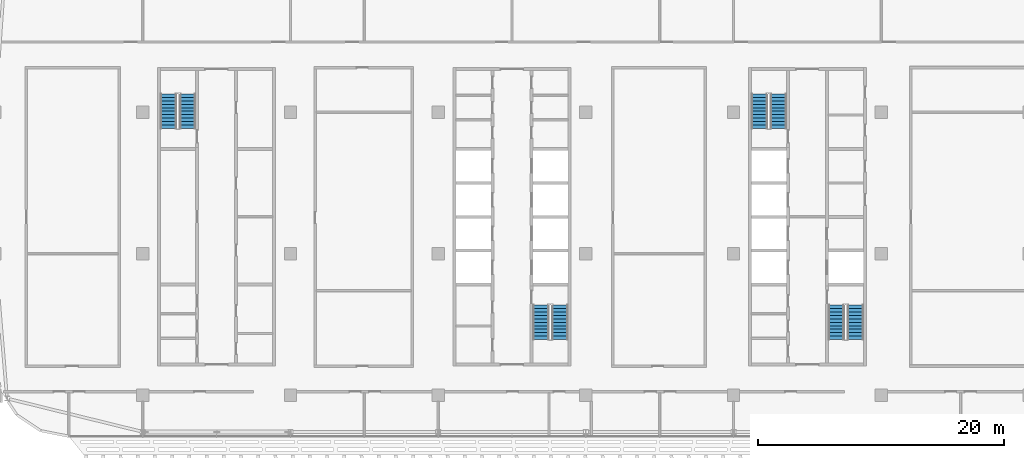
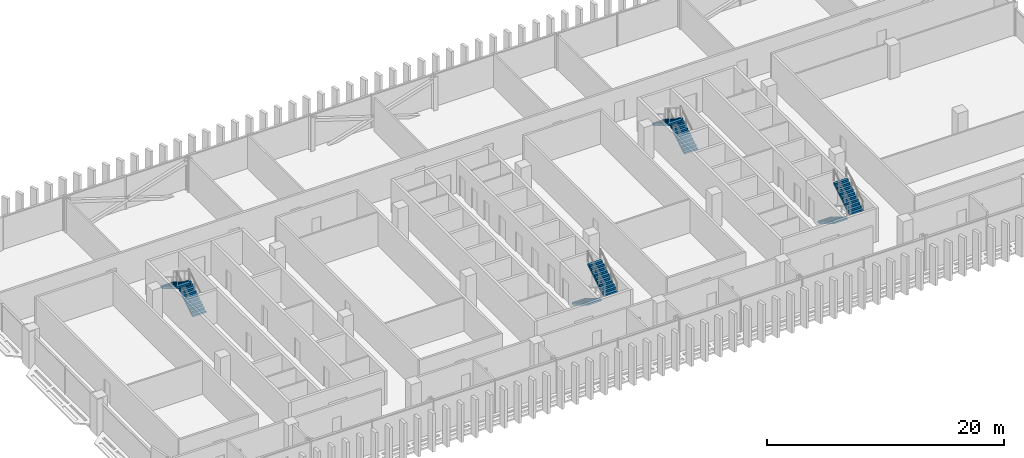
# One storey, part 23 of 35: 8 stair flights, 4 elements without a shape of their own.
"""IFC4 building model written with IfcOpenShell, lengths in metres."""

from ifc_helpers import new_model, si_unit, direction, frame, origin, place, context, subcontext, project, spatial, polyline, outline, extrude, material, type_object, element, aggregate, save


model = new_model("IFC4")

# Units and contexts
model_context = context("Model", 3, precision=1e-05, world=origin(), true_north=direction((0.0, 1.0)))
body_context = subcontext(model_context, "Body", "Model", "MODEL_VIEW")
ifc_project = project(units=[si_unit("LENGTHUNIT", "METRE"), si_unit("AREAUNIT", "SQUARE_METRE"), si_unit("VOLUMEUNIT", "CUBIC_METRE"), si_unit("PLANEANGLEUNIT", "RADIAN"), si_unit("MASSUNIT", "GRAM", prefix="KILO")], contexts=[model_context])

# Site, building, storey
site_placement = place(None, origin())
site = spatial("IfcSite", under=ifc_project, at=site_placement, CompositionType="ELEMENT")
building_placement = place(site_placement, origin())
building = spatial("IfcBuilding", under=site, at=building_placement, Name="Mahtab Terrace Research Tower", CompositionType="ELEMENT")
storey_placement = place(building_placement, frame((0.0, 0.0, 251.39990234375)))
storey = spatial("IfcBuildingStorey", under=building, at=storey_placement, Name="L61", CompositionType="ELEMENT", Elevation=251.39990234375)

# Stair, stair flights
ifc_material_1 = material(Name="Exit stair half-turn")
stair_type = type_object("IfcStairType", Name="Exit stair half-turn", PredefinedType="HALF_TURN_STAIR", material=ifc_material_1)
stair_1_placement = place(storey_placement, origin())
stair_1 = element("IfcStair", 1, at=stair_1_placement, inside=storey, type_object=stair_type, Name="L61 Protected exit stair ST1", PredefinedType="HALF_TURN_STAIR")
ifc_material_2 = material(Name="Concrete C40/50", Category="concrete")
stair_flight_type = type_object("IfcStairFlightType", Name="Exit stair flight 1300", PredefinedType="STRAIGHT", material=ifc_material_2)
stair_flight_1_placement = place(storey_placement, frame((-26.35009765625, 10.175048828125, 0.0), z_axis=(0.0, 0.0, 1.0), x_axis=(0.0, 1.0, 0.0)))
stair_flight_1 = element("IfcStairFlight", 2, at=stair_flight_1_placement, type_object=stair_flight_type, Name="ST1 flight 1", NumberOfRisers=11, NumberOfTreads=10, PredefinedType="STRAIGHT", RiserHeight=0.172727273, TreadLength=0.28, context=body_context, shape_type="SweptSolid", body=[
    extrude(outline(polyline([(0.0, 0.0), (0.0, 0.172607421875), (0.280029296875, 0.172607421875), (0.280029296875, 0.345458984375), (0.56005859375, 0.345458984375), (0.56005859375, 0.51806640625), (0.840087890625, 0.51806640625), (0.840087890625, 0.69091796875), (1.1201171875, 0.69091796875), (1.1201171875, 0.863525390625), (1.39990234375, 0.863525390625), (1.39990234375, 1.036376953125), (1.679931640625, 1.036376953125), (1.679931640625, 1.208984375), (1.9599609375, 1.208984375), (1.9599609375, 1.3818359375), (2.239990234375, 1.3818359375), (2.239990234375, 1.554443359375), (2.52001953125, 1.554443359375), (2.52001953125, 1.727294921875), (2.800048828125, 1.727294921875), (2.800048828125, 1.89990234375), (2.800048828125, 1.551025390625), (0.285400390625, 0.0), (0.0, 0.0)])), frame((0.0, 0.64990234375, 0.0), z_axis=(0.0, -1.0, 0.0), x_axis=(1.0, 0.0, 0.0)), (0.0, 0.0, 1.0), 1.300048828125),
])
stair_flight_2_placement = place(storey_placement, frame((-27.89990234375, 12.97509765625, 1.900146484375), z_axis=(0.0, 0.0, 1.0), x_axis=(0.0, -1.0, 0.0)))
stair_flight_2 = element("IfcStairFlight", 3, at=stair_flight_2_placement, type_object=stair_flight_type, Name="ST1 flight 2", NumberOfRisers=11, NumberOfTreads=10, PredefinedType="STRAIGHT", RiserHeight=0.172727273, TreadLength=0.28, context=body_context, shape_type="SweptSolid", body=[
    extrude(outline(polyline([(0.0, 0.0), (0.0, 0.172607421875), (0.280029296875, 0.172607421875), (0.280029296875, 0.345458984375), (0.56005859375, 0.345458984375), (0.56005859375, 0.51806640625), (0.840087890625, 0.51806640625), (0.840087890625, 0.69091796875), (1.1201171875, 0.69091796875), (1.1201171875, 0.863525390625), (1.39990234375, 0.863525390625), (1.39990234375, 1.036376953125), (1.679931640625, 1.036376953125), (1.679931640625, 1.208984375), (1.9599609375, 1.208984375), (1.9599609375, 1.3818359375), (2.239990234375, 1.3818359375), (2.239990234375, 1.554443359375), (2.52001953125, 1.554443359375), (2.52001953125, 1.727294921875), (2.800048828125, 1.727294921875), (2.800048828125, 1.89990234375), (2.800048828125, 1.551025390625), (0.285400390625, 0.0), (0.0, 0.0)])), frame((0.0, 0.64990234375, 0.0), z_axis=(0.0, -1.0, 0.0), x_axis=(1.0, 0.0, 0.0)), (0.0, 0.0, 1.0), 1.300048828125),
])
aggregate(stair_1, [stair_flight_1, stair_flight_2])

stair_2_placement = place(storey_placement, origin())
stair_2 = element("IfcStair", 4, at=stair_2_placement, inside=storey, type_object=stair_type, Name="L61 Protected exit stair ST2", PredefinedType="HALF_TURN_STAIR")
stair_flight_3_placement = place(storey_placement, frame((2.35009765625, -4.175048828125, 0.0), z_axis=(0.0, 0.0, 1.0), x_axis=(0.0, -1.0, 0.0)))
stair_flight_3 = element("IfcStairFlight", 5, at=stair_flight_3_placement, type_object=stair_flight_type, Name="ST2 flight 1", NumberOfRisers=11, NumberOfTreads=10, PredefinedType="STRAIGHT", RiserHeight=0.172727273, TreadLength=0.28, context=body_context, shape_type="SweptSolid", body=[
    extrude(outline(polyline([(0.0, 0.0), (0.0, 0.172607421875), (0.280029296875, 0.172607421875), (0.280029296875, 0.345458984375), (0.56005859375, 0.345458984375), (0.56005859375, 0.51806640625), (0.840087890625, 0.51806640625), (0.840087890625, 0.69091796875), (1.1201171875, 0.69091796875), (1.1201171875, 0.863525390625), (1.39990234375, 0.863525390625), (1.39990234375, 1.036376953125), (1.679931640625, 1.036376953125), (1.679931640625, 1.208984375), (1.9599609375, 1.208984375), (1.9599609375, 1.3818359375), (2.239990234375, 1.3818359375), (2.239990234375, 1.554443359375), (2.52001953125, 1.554443359375), (2.52001953125, 1.727294921875), (2.800048828125, 1.727294921875), (2.800048828125, 1.89990234375), (2.800048828125, 1.551025390625), (0.285400390625, 0.0), (0.0, 0.0)])), frame((0.0, 0.64990234375, 0.0), z_axis=(0.0, -1.0, 0.0), x_axis=(1.0, 0.0, 0.0)), (0.0, 0.0, 1.0), 1.300048828125),
])
stair_flight_4_placement = place(storey_placement, frame((3.89990234375, -6.97509765625, 1.900146484375), z_axis=(0.0, 0.0, 1.0), x_axis=(0.0, 1.0, 0.0)))
stair_flight_4 = element("IfcStairFlight", 6, at=stair_flight_4_placement, type_object=stair_flight_type, Name="ST2 flight 2", NumberOfRisers=11, NumberOfTreads=10, PredefinedType="STRAIGHT", RiserHeight=0.172727273, TreadLength=0.28, context=body_context, shape_type="SweptSolid", body=[
    extrude(outline(polyline([(0.0, 0.0), (0.0, 0.172607421875), (0.280029296875, 0.172607421875), (0.280029296875, 0.345458984375), (0.56005859375, 0.345458984375), (0.56005859375, 0.51806640625), (0.840087890625, 0.51806640625), (0.840087890625, 0.69091796875), (1.1201171875, 0.69091796875), (1.1201171875, 0.863525390625), (1.39990234375, 0.863525390625), (1.39990234375, 1.036376953125), (1.679931640625, 1.036376953125), (1.679931640625, 1.208984375), (1.9599609375, 1.208984375), (1.9599609375, 1.3818359375), (2.239990234375, 1.3818359375), (2.239990234375, 1.554443359375), (2.52001953125, 1.554443359375), (2.52001953125, 1.727294921875), (2.800048828125, 1.727294921875), (2.800048828125, 1.89990234375), (2.800048828125, 1.551025390625), (0.285400390625, 0.0), (0.0, 0.0)])), frame((0.0, 0.64990234375, 0.0), z_axis=(0.0, -1.0, 0.0), x_axis=(1.0, 0.0, 0.0)), (0.0, 0.0, 1.0), 1.300048828125),
])
aggregate(stair_2, [stair_flight_3, stair_flight_4])

stair_3_placement = place(storey_placement, origin())
stair_3 = element("IfcStair", 7, at=stair_3_placement, inside=storey, type_object=stair_type, Name="L61 Protected exit stair ST3", PredefinedType="HALF_TURN_STAIR")
stair_flight_5_placement = place(storey_placement, frame((21.64990234375, 10.175048828125, 0.0), z_axis=(0.0, 0.0, 1.0), x_axis=(0.0, 1.0, 0.0)))
stair_flight_5 = element("IfcStairFlight", 8, at=stair_flight_5_placement, type_object=stair_flight_type, Name="ST3 flight 1", NumberOfRisers=11, NumberOfTreads=10, PredefinedType="STRAIGHT", RiserHeight=0.172727273, TreadLength=0.28, context=body_context, shape_type="SweptSolid", body=[
    extrude(outline(polyline([(0.0, 0.0), (0.0, 0.172607421875), (0.280029296875, 0.172607421875), (0.280029296875, 0.345458984375), (0.56005859375, 0.345458984375), (0.56005859375, 0.51806640625), (0.840087890625, 0.51806640625), (0.840087890625, 0.69091796875), (1.1201171875, 0.69091796875), (1.1201171875, 0.863525390625), (1.39990234375, 0.863525390625), (1.39990234375, 1.036376953125), (1.679931640625, 1.036376953125), (1.679931640625, 1.208984375), (1.9599609375, 1.208984375), (1.9599609375, 1.3818359375), (2.239990234375, 1.3818359375), (2.239990234375, 1.554443359375), (2.52001953125, 1.554443359375), (2.52001953125, 1.727294921875), (2.800048828125, 1.727294921875), (2.800048828125, 1.89990234375), (2.800048828125, 1.551025390625), (0.285400390625, 0.0), (0.0, 0.0)])), frame((0.0, 0.64990234375, 0.0), z_axis=(0.0, -1.0, 0.0), x_axis=(1.0, 0.0, 0.0)), (0.0, 0.0, 1.0), 1.300048828125),
])
stair_flight_6_placement = place(storey_placement, frame((20.10009765625, 12.97509765625, 1.900146484375), z_axis=(0.0, 0.0, 1.0), x_axis=(0.0, -1.0, 0.0)))
stair_flight_6 = element("IfcStairFlight", 9, at=stair_flight_6_placement, type_object=stair_flight_type, Name="ST3 flight 2", NumberOfRisers=11, NumberOfTreads=10, PredefinedType="STRAIGHT", RiserHeight=0.172727273, TreadLength=0.28, context=body_context, shape_type="SweptSolid", body=[
    extrude(outline(polyline([(0.0, 0.0), (0.0, 0.172607421875), (0.280029296875, 0.172607421875), (0.280029296875, 0.345458984375), (0.56005859375, 0.345458984375), (0.56005859375, 0.51806640625), (0.840087890625, 0.51806640625), (0.840087890625, 0.69091796875), (1.1201171875, 0.69091796875), (1.1201171875, 0.863525390625), (1.39990234375, 0.863525390625), (1.39990234375, 1.036376953125), (1.679931640625, 1.036376953125), (1.679931640625, 1.208984375), (1.9599609375, 1.208984375), (1.9599609375, 1.3818359375), (2.239990234375, 1.3818359375), (2.239990234375, 1.554443359375), (2.52001953125, 1.554443359375), (2.52001953125, 1.727294921875), (2.800048828125, 1.727294921875), (2.800048828125, 1.89990234375), (2.800048828125, 1.551025390625), (0.285400390625, 0.0), (0.0, 0.0)])), frame((0.0, 0.64990234375, 0.0), z_axis=(0.0, -1.0, 0.0), x_axis=(1.0, 0.0, 0.0)), (0.0, 0.0, 1.0), 1.300048828125),
])
aggregate(stair_3, [stair_flight_5, stair_flight_6])

stair_4_placement = place(storey_placement, origin())
stair_4 = element("IfcStair", 10, at=stair_4_placement, inside=storey, type_object=stair_type, Name="L61 Protected exit stair ST4", PredefinedType="HALF_TURN_STAIR")
stair_flight_7_placement = place(storey_placement, frame((26.35009765625, -4.175048828125, 0.0), z_axis=(0.0, 0.0, 1.0), x_axis=(0.0, -1.0, 0.0)))
stair_flight_7 = element("IfcStairFlight", 11, at=stair_flight_7_placement, type_object=stair_flight_type, Name="ST4 flight 1", NumberOfRisers=11, NumberOfTreads=10, PredefinedType="STRAIGHT", RiserHeight=0.172727273, TreadLength=0.28, context=body_context, shape_type="SweptSolid", body=[
    extrude(outline(polyline([(0.0, 0.0), (0.0, 0.172607421875), (0.280029296875, 0.172607421875), (0.280029296875, 0.345458984375), (0.56005859375, 0.345458984375), (0.56005859375, 0.51806640625), (0.840087890625, 0.51806640625), (0.840087890625, 0.69091796875), (1.1201171875, 0.69091796875), (1.1201171875, 0.863525390625), (1.39990234375, 0.863525390625), (1.39990234375, 1.036376953125), (1.679931640625, 1.036376953125), (1.679931640625, 1.208984375), (1.9599609375, 1.208984375), (1.9599609375, 1.3818359375), (2.239990234375, 1.3818359375), (2.239990234375, 1.554443359375), (2.52001953125, 1.554443359375), (2.52001953125, 1.727294921875), (2.800048828125, 1.727294921875), (2.800048828125, 1.89990234375), (2.800048828125, 1.551025390625), (0.285400390625, 0.0), (0.0, 0.0)])), frame((0.0, 0.64990234375, 0.0), z_axis=(0.0, -1.0, 0.0), x_axis=(1.0, 0.0, 0.0)), (0.0, 0.0, 1.0), 1.300048828125),
])
stair_flight_8_placement = place(storey_placement, frame((27.89990234375, -6.97509765625, 1.900146484375), z_axis=(0.0, 0.0, 1.0), x_axis=(0.0, 1.0, 0.0)))
stair_flight_8 = element("IfcStairFlight", 12, at=stair_flight_8_placement, type_object=stair_flight_type, Name="ST4 flight 2", NumberOfRisers=11, NumberOfTreads=10, PredefinedType="STRAIGHT", RiserHeight=0.172727273, TreadLength=0.28, context=body_context, shape_type="SweptSolid", body=[
    extrude(outline(polyline([(0.0, 0.0), (0.0, 0.172607421875), (0.280029296875, 0.172607421875), (0.280029296875, 0.345458984375), (0.56005859375, 0.345458984375), (0.56005859375, 0.51806640625), (0.840087890625, 0.51806640625), (0.840087890625, 0.69091796875), (1.1201171875, 0.69091796875), (1.1201171875, 0.863525390625), (1.39990234375, 0.863525390625), (1.39990234375, 1.036376953125), (1.679931640625, 1.036376953125), (1.679931640625, 1.208984375), (1.9599609375, 1.208984375), (1.9599609375, 1.3818359375), (2.239990234375, 1.3818359375), (2.239990234375, 1.554443359375), (2.52001953125, 1.554443359375), (2.52001953125, 1.727294921875), (2.800048828125, 1.727294921875), (2.800048828125, 1.89990234375), (2.800048828125, 1.551025390625), (0.285400390625, 0.0), (0.0, 0.0)])), frame((0.0, 0.64990234375, 0.0), z_axis=(0.0, -1.0, 0.0), x_axis=(1.0, 0.0, 0.0)), (0.0, 0.0, 1.0), 1.300048828125),
])
aggregate(stair_4, [stair_flight_7, stair_flight_8])

save(model, "model.ifc")
